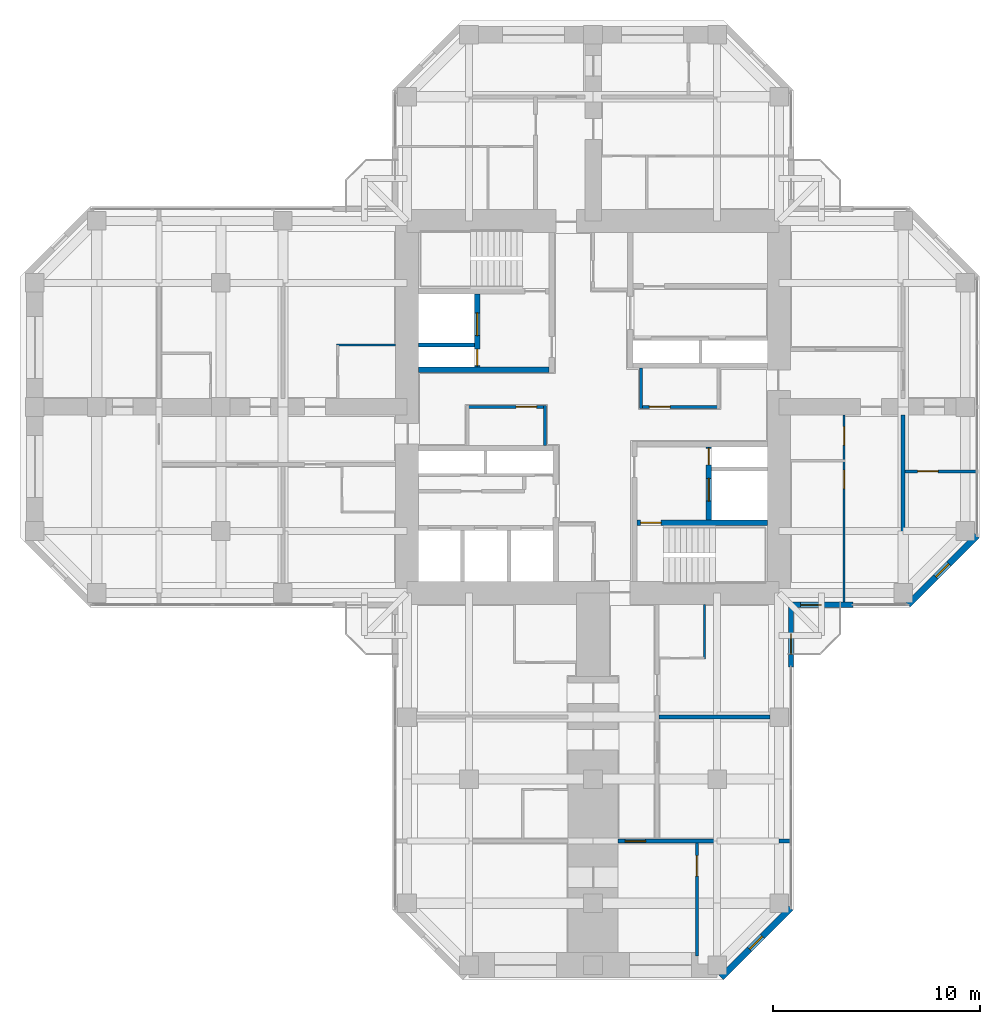
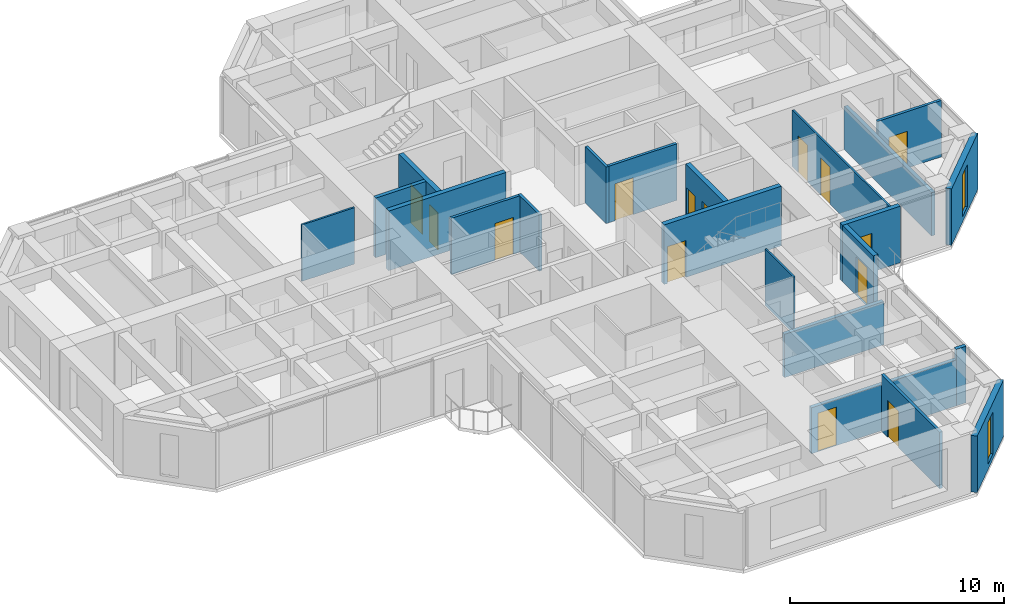
# One storey, part 10 of 14: 22 walls, 14 doors, 2 windows, 16 openings.
"""IFC4 building model written with IfcOpenShell, lengths in metres."""

import ifcopenshell
import ifcopenshell.guid

model = None  # the IFC model being written
_history = None  # IfcOwnerHistory: only IFC2X3 demands one
_inside = {}  # id of a spatial element -> (the spatial element, [elements in it])
_under = {}  # id of a project, library or spatial element -> (it, [spatial elements below it])
_declared = {}  # id of a project -> (the project, [libraries it declares])
_typed = {}  # id of a type object -> (the type object, [elements of that type])
_made_of = {}  # id of a material, layer set ... -> (it, [elements and type objects made of it])


def new_model(schema):
    """Start an empty IFC model of exactly this schema.

    Asked for "IFC4X3", IfcOpenShell would pick the latest addendum, in which some entities
    have other attributes; the version numbers below select the first issue.
    IFC2X3 requires an IfcOwnerHistory on every rooted entity: one is made here for all.
    """
    global model, _history
    if schema == "IFC4X3":
        model = ifcopenshell.file(schema_version=(4, 3, 0, 0))
    else:
        model = ifcopenshell.file(schema=schema)
    _inside.clear()
    _under.clear()
    _declared.clear()
    _typed.clear()
    _made_of.clear()
    _history = None
    if model.schema == "IFC2X3":
        org = make("IfcOrganization", Name="unknown")
        user = make(
            "IfcPersonAndOrganization",
            ThePerson=make("IfcPerson", FamilyName="unknown"),
            TheOrganization=org,
        )
        app = make(
            "IfcApplication",
            ApplicationDeveloper=org,
            Version="unknown",
            ApplicationFullName="unknown",
            ApplicationIdentifier="unknown",
        )
        _history = make(
            "IfcOwnerHistory",
            OwningUser=user,
            OwningApplication=app,
            ChangeAction="ADDED",
            CreationDate=0,
        )
    return model


def make(cls, **values):
    """One entity of the class cls with the attributes given. An attribute that is None is left unset."""
    return model.create_entity(
        cls, **{name: value for name, value in values.items() if value is not None}
    )


def rooted(cls, **values):
    """An entity with a GlobalId (a new one), such as an element, a storey or a relation."""
    return make(cls, GlobalId=ifcopenshell.guid.new(), OwnerHistory=_history, **values)


def si_unit(unit_type, name, prefix=None):
    """IfcSIUnit, for example si_unit("LENGTHUNIT", "METRE", prefix="MILLI")."""
    return make("IfcSIUnit", UnitType=unit_type, Prefix=prefix, Name=name)


def assignment(units):
    """IfcUnitAssignment: the units of a project."""
    return None if units is None else make("IfcUnitAssignment", Units=units)


def point(xyz):
    """IfcCartesianPoint."""
    return None if xyz is None else make("IfcCartesianPoint", Coordinates=xyz)


def direction(xyz):
    """IfcDirection."""
    return None if xyz is None else make("IfcDirection", DirectionRatios=xyz)


def frame(location, z_axis=None, x_axis=None):
    """IfcAxis2Placement3D, a coordinate frame: its origin and axes. An axis left out is left unset."""
    return make(
        "IfcAxis2Placement3D",
        Location=point(location),
        Axis=direction(z_axis),
        RefDirection=direction(x_axis),
    )


def frame_2d(location, x_axis=None):
    """IfcAxis2Placement2D, a coordinate frame in the plane: its origin and x axis."""
    return make(
        "IfcAxis2Placement2D", Location=point(location), RefDirection=direction(x_axis)
    )


def origin():
    """The frame at (0, 0, 0) with its axes left unset."""
    return frame((0.0, 0.0, 0.0))


def place(relative_to, where):
    """IfcLocalPlacement: puts the frame where relative to a parent placement (None: the world)."""
    return make(
        "IfcLocalPlacement", PlacementRelTo=relative_to, RelativePlacement=where
    )


def context(
    kind, dimensions, precision=None, world=None, true_north=None, identifier=None
):
    """IfcGeometricRepresentationContext, for example the 3D "Model" context."""
    return make(
        "IfcGeometricRepresentationContext",
        ContextIdentifier=identifier,
        ContextType=kind,
        CoordinateSpaceDimension=dimensions,
        Precision=precision,
        WorldCoordinateSystem=world,
        TrueNorth=true_north,
    )


def subcontext(parent, identifier, kind, view, scale=None):
    """IfcGeometricRepresentationSubContext, for example "Body" below "Model"."""
    return make(
        "IfcGeometricRepresentationSubContext",
        ContextIdentifier=identifier,
        ContextType=kind,
        ParentContext=parent,
        TargetScale=scale,
        TargetView=view,
    )


def project(units=None, contexts=None):
    """IfcProject with its units and contexts."""
    return rooted(
        "IfcProject",
        Name="project",
        RepresentationContexts=contexts,
        UnitsInContext=assignment(units),
    )


def spatial(cls, under=None, at=None, **own):
    """A site, building, storey or space (cls), placed at a placement, below another one or the project."""
    s = rooted(cls, ObjectPlacement=at, **own)
    if under is not None:
        _under.setdefault(under.id(), (under, []))[1].append(s)
    return s


def profile(cls, at=None, kind="AREA", **sizes):
    """A parametric profile (cls). Its sizes go by their IFC names, for example OverallWidth=200.0."""
    return make(cls, ProfileType=kind, Position=at, **sizes)


def rectangle(**sizes):
    """IfcRectangleProfileDef."""
    return profile("IfcRectangleProfileDef", **sizes)


def hollow_rectangle(**sizes):
    """IfcRectangleHollowProfileDef."""
    return profile("IfcRectangleHollowProfileDef", **sizes)


def extrude(swept, where, along, depth):
    """IfcExtrudedAreaSolid: the profile swept, set in the frame where, extruded along a direction by depth."""
    return make(
        "IfcExtrudedAreaSolid",
        SweptArea=swept,
        Position=where,
        ExtrudedDirection=direction(along),
        Depth=depth,
    )


def shape(context_of_items, identifier, shape_type, items):
    """IfcShapeRepresentation: the items that make up one representation, for example the "Body"."""
    return make(
        "IfcShapeRepresentation",
        ContextOfItems=context_of_items,
        RepresentationIdentifier=identifier,
        RepresentationType=shape_type,
        Items=items,
    )


def material(Name=None, Category=None):
    """IfcMaterial."""
    return make("IfcMaterial", Name=Name, Category=Category)


def layer(
    of_material, thickness, ventilated=None, Name=None, Category=None, Priority=None
):
    """IfcMaterialLayer: one layer of a wall or slab, of a material (None: an air gap)."""
    return make(
        "IfcMaterialLayer",
        Material=of_material,
        LayerThickness=thickness,
        IsVentilated=ventilated,
        Name=Name,
        Category=Category,
        Priority=Priority,
    )


def layer_set(layers, Name=None):
    """IfcMaterialLayerSet."""
    return make("IfcMaterialLayerSet", MaterialLayers=layers, LayerSetName=Name)


def constituent(of_material, Name=None, Category=None, fraction=None):
    """IfcMaterialConstituent: one of the materials an element consists of."""
    return make(
        "IfcMaterialConstituent",
        Name=Name,
        Material=of_material,
        Fraction=fraction,
        Category=Category,
    )


def constituent_set(constituents=None, Name=None):
    """IfcMaterialConstituentSet."""
    return make(
        "IfcMaterialConstituentSet", Name=Name, MaterialConstituents=constituents
    )


def made_of(thing, what):
    """Note that an element or type object is made of a material, layer set ...; save() writes the relation."""
    if what is not None:
        _made_of.setdefault(what.id(), (what, []))[1].append(thing)
    return thing


def type_object(cls, material=None, **own):
    """A type object (cls), such as IfcWallType, which elements share."""
    return made_of(rooted(cls, **own), material)


def element(
    cls,
    number,
    at=None,
    inside=None,
    cuts=None,
    type_object=None,
    material=None,
    context=None,
    identifier="Body",
    shape_type=None,
    held_by="IfcProductDefinitionShape",
    body=None,
    shapes=None,
    **own,
):
    """One element of the class cls, such as IfcWall. Its Tag is "e" and its number.

    at: its placement. inside: the storey or other place that contains it. cuts: it is an
    opening in that element (IfcRelVoidsElement). A single representation is given by context,
    identifier, shape_type and body (its items); several are given by shapes. held_by: the class
    of the entity that holds the representations. save() writes the other relations.
    """
    e = rooted(cls, Tag="e%d" % number, ObjectPlacement=at, **own)
    if body is not None:
        shapes = [shape(context, identifier, shape_type, body)]
    if shapes is not None:
        e.Representation = make(held_by, Representations=shapes)
    if inside is not None:
        _inside.setdefault(inside.id(), (inside, []))[1].append(e)
    if cuts is not None:
        rooted(
            "IfcRelVoidsElement", RelatingBuildingElement=cuts, RelatedOpeningElement=e
        )
    if type_object is not None:
        _typed.setdefault(type_object.id(), (type_object, []))[1].append(e)
    return made_of(e, material)


def fill(opening, filler):
    """IfcRelFillsElement: the door or window that sits in an opening."""
    return rooted(
        "IfcRelFillsElement",
        RelatingOpeningElement=opening,
        RelatedBuildingElement=filler,
    )


def aggregate(whole, parts):
    """IfcRelAggregates: a whole, such as a stair, and the parts it consists of."""
    return rooted("IfcRelAggregates", RelatingObject=whole, RelatedObjects=parts)


def save(model, path):
    """Write the relations noted so far, then the file.

    IfcRelAggregates (storeys below a building ...), IfcRelContainedInSpatialStructure (elements
    in a storey), IfcRelDefinesByType, IfcRelAssociatesMaterial and IfcRelDeclares: one each for
    every whole, place, type object, material and project.
    """
    for whole, parts in _under.values():
        aggregate(whole, parts)
    for where, things in _inside.values():
        rooted(
            "IfcRelContainedInSpatialStructure",
            RelatedElements=things,
            RelatingStructure=where,
        )
    for kind, things in _typed.values():
        rooted("IfcRelDefinesByType", RelatedObjects=things, RelatingType=kind)
    for what, things in _made_of.values():
        rooted("IfcRelAssociatesMaterial", RelatedObjects=things, RelatingMaterial=what)
    for by, libraries in _declared.values():
        rooted("IfcRelDeclares", RelatingContext=by, RelatedDefinitions=libraries)
    model.write(path)


model = new_model("IFC4")

# Units and contexts
model_context = context("Model", 3, precision=1e-05, world=origin(), true_north=direction((0.0, 1.0)))
body_context = subcontext(model_context, "Body", "Model", "MODEL_VIEW")
ifc_project = project(units=[si_unit("LENGTHUNIT", "METRE"), si_unit("AREAUNIT", "SQUARE_METRE"), si_unit("VOLUMEUNIT", "CUBIC_METRE"), si_unit("PLANEANGLEUNIT", "RADIAN"), si_unit("MASSUNIT", "GRAM", prefix="KILO")], contexts=[model_context])

# Site, building, storey
site_placement = place(None, origin())
site = spatial("IfcSite", under=ifc_project, at=site_placement, CompositionType="ELEMENT")
building_placement = place(site_placement, origin())
building = spatial("IfcBuilding", under=site, at=building_placement, Name="Torre Cruceta", CompositionType="ELEMENT")
storey_placement = place(building_placement, frame((0.0, 0.0, 210.300048828125)))
storey = spatial("IfcBuildingStorey", under=building, at=storey_placement, Name="L53", CompositionType="ELEMENT", Elevation=210.300048828125)

# Wall, openings, doors
ifc_material_1 = material(Name="Water-resistant plasterboard on steel studs", Category="steel")
ifc_layer_1 = layer(ifc_material_1, 0.10009765625)
ifc_layer_set_1 = layer_set([ifc_layer_1], Name="Water-resistant plasterboard on steel studs")
wall_type_1 = type_object("IfcWallType", Name="BATHROOM WALL 100", PredefinedType="PARTITIONING", material=ifc_layer_set_1)
wall_1_placement = place(storey_placement, frame((12.14990234375, -9.445068359375, 0.0), z_axis=(0.0, 0.0, 1.0), x_axis=(0.0, 1.0, 0.0)))
wall_1 = element("IfcWall", 1, at=wall_1_placement, inside=storey, type_object=wall_type_1, Name="PT4 L53-E-U1RBS", PredefinedType="PARTITIONING", context=body_context, shape_type="SweptSolid", body=[
    extrude(rectangle(XDim=9.045166015625, YDim=0.10009765625, at=frame_2d((4.5224609375, 0.0))), origin(), (0.0, 0.0, 1.0), 3.219970703125),
])
opening_1_placement = place(wall_1_placement, frame((5.4951171875, 0.0, 0.0)))
opening_1 = element("IfcOpeningElement", 2, at=opening_1_placement, cuts=wall_1, Name="Opening D7", PredefinedType="OPENING", context=body_context, shape_type="SweptSolid", body=[
    extrude(rectangle(XDim=0.89990234375, YDim=2.10009765625, at=frame_2d((0.449951171875, 1.050048828125))), frame((0.0, 0.06005859375, 0.0), z_axis=(0.0, -1.0, 0.0), x_axis=(1.0, 0.0, 0.0)), (0.0, 0.0, 1.0), 0.1201171875),
])
opening_2_placement = place(wall_1_placement, frame((7.594970703125, 0.0, 0.0)))
opening_2 = element("IfcOpeningElement", 3, at=opening_2_placement, cuts=wall_1, Name="Opening D7", PredefinedType="OPENING", context=body_context, shape_type="SweptSolid", body=[
    extrude(rectangle(XDim=0.89990234375, YDim=2.10009765625, at=frame_2d((0.449951171875, 1.050048828125))), frame((0.0, 0.06005859375, 0.0), z_axis=(0.0, -1.0, 0.0), x_axis=(1.0, 0.0, 0.0)), (0.0, 0.0, 1.0), 0.1201171875),
])
ifc_material_2 = material(Name="Timber door", Category="wood")
door_type_1 = type_object("IfcDoorType", Name="BATHROOM DOOR 900X2100", OperationType="SINGLE_SWING_LEFT", PredefinedType="DOOR", material=ifc_material_2)
door_1_placement = place(opening_1_placement, origin())
door_1 = element("IfcDoor", 4, at=door_1_placement, inside=storey, type_object=door_type_1, Name="D7 L53-E-U1RBS-D1", OperationType="SINGLE_SWING_RIGHT", OverallHeight=2.10009765625, OverallWidth=0.89990234375, PredefinedType="DOOR", context=body_context, shape_type="SweptSolid", body=[
    extrude(rectangle(XDim=0.89990234375, YDim=2.10009765625, at=frame_2d((0.449951171875, 1.050048828125))), frame((0.0, 0.02490234375, 0.0), z_axis=(0.0, -1.0, 0.0), x_axis=(1.0, 0.0, 0.0)), (0.0, 0.0, 1.0), 0.050048828125),
])
fill(opening_1, door_1)
door_2_placement = place(opening_2_placement, origin())
door_2 = element("IfcDoor", 5, at=door_2_placement, inside=storey, type_object=door_type_1, Name="D7 L53-E-U1RBS-D2", OperationType="SINGLE_SWING_RIGHT", OverallHeight=2.10009765625, OverallWidth=0.89990234375, PredefinedType="DOOR", context=body_context, shape_type="SweptSolid", body=[
    extrude(rectangle(XDim=0.89990234375, YDim=2.10009765625, at=frame_2d((0.449951171875, 1.050048828125))), frame((0.0, 0.02490234375, 0.0), z_axis=(0.0, -1.0, 0.0), x_axis=(1.0, 0.0, 0.0)), (0.0, 0.0, 1.0), 0.050048828125),
])
fill(opening_2, door_2)

# Walls
wall_2_placement = place(storey_placement, frame((5.39990234375, -9.550048828125, 0.0), z_axis=(0.0, 0.0, 1.0), x_axis=(0.0, -1.0, 0.0)))
element("IfcWall", 6, at=wall_2_placement, inside=storey, type_object=wall_type_1, Name="PT4 L53-S-U1LBB", PredefinedType="PARTITIONING", context=body_context, shape_type="SweptSolid", body=[
    extrude(rectangle(XDim=2.64990234375, YDim=0.10009765625, at=frame_2d((1.324951171875, 0.0))), origin(), (0.0, 0.0, 1.0), 3.219970703125),
])
wall_3_placement = place(storey_placement, frame((-9.550048828125, 3.0, 0.0), z_axis=(0.0, 0.0, 1.0), x_axis=(-1.0, 0.0, 0.0)))
element("IfcWall", 7, at=wall_3_placement, inside=storey, type_object=wall_type_1, Name="PT4 L53-W-U1RBB", PredefinedType="PARTITIONING", context=body_context, shape_type="SweptSolid", body=[
    extrude(rectangle(XDim=2.849853515625, YDim=0.10009765625, at=frame_2d((1.4248046875, 0.0))), origin(), (0.0, 0.0, 1.0), 3.219970703125),
])
ifc_material_3 = material(Name="Concrete G60 (fck 60 MPa)", Category="concrete")
ifc_layer_2 = layer(ifc_material_3, 0.25)
ifc_layer_set_2 = layer_set([ifc_layer_2], Name="Concrete G60 (fck 60 MPa)")
wall_type_2 = type_object("IfcWallType", Name="CORE INNER WALL 250 G60", PredefinedType="SHEAR", material=ifc_layer_set_2)
wall_4_placement = place(storey_placement, frame((-2.125, 1.800048828125, 0.0), z_axis=(0.0, 0.0, 1.0), x_axis=(-1.0, 0.0, 0.0)))
element("IfcWall", 8, at=wall_4_placement, inside=storey, type_object=wall_type_2, Name="CW4 L53 NW-CV", PredefinedType="SHEAR", context=body_context, shape_type="SweptSolid", body=[
    extrude(rectangle(XDim=6.324951171875, YDim=0.25, at=frame_2d((3.16259765625, 0.0))), origin(), (0.0, 0.0, 1.0), 3.39990234375),
])

# Wall, openings, doors
wall_5_placement = place(storey_placement, frame((-5.60009765625, 1.925048828125, 0.0), z_axis=(0.0, 0.0, 1.0), x_axis=(0.0, 1.0, 0.0)))
wall_5 = element("IfcWall", 9, at=wall_5_placement, inside=storey, type_object=wall_type_2, Name="CW4 L53 NW-FU", PredefinedType="SHEAR", context=body_context, shape_type="SweptSolid", body=[
    extrude(rectangle(XDim=3.550048828125, YDim=0.25, at=frame_2d((1.77490234375, 0.0))), origin(), (0.0, 0.0, 1.0), 3.39990234375),
])
opening_3_placement = place(wall_5_placement, frame((1.52490234375, 0.0, 0.0)))
opening_3 = element("IfcOpeningElement", 10, at=opening_3_placement, cuts=wall_5, Name="Opening LD1", PredefinedType="OPENING", context=body_context, shape_type="SweptSolid", body=[
    extrude(rectangle(XDim=1.10009765625, YDim=2.199951171875, at=frame_2d((0.550048828125, 1.10009765625))), frame((0.0, 0.135009765625, 0.0), z_axis=(0.0, -1.0, 0.0), x_axis=(1.0, 0.0, 0.0)), (0.0, 0.0, 1.0), 0.27001953125),
])
opening_4_placement = place(wall_5_placement, frame((0.074951171875, 0.0, 0.0)))
opening_4 = element("IfcOpeningElement", 11, at=opening_4_placement, cuts=wall_5, Name="Opening D5", PredefinedType="OPENING", context=body_context, shape_type="SweptSolid", body=[
    extrude(rectangle(XDim=0.800048828125, YDim=2.10009765625, at=frame_2d((0.39990234375, 1.050048828125))), frame((0.0, 0.135009765625, 0.0), z_axis=(0.0, -1.0, 0.0), x_axis=(1.0, 0.0, 0.0)), (0.0, 0.0, 1.0), 0.27001953125),
])
ifc_material_4 = material(Name="Stainless steel 1.4401", Category="steel")
door_type_2 = type_object("IfcDoorType", Name="LIFT LANDING DOOR 1100X2200", OperationType="DOUBLE_DOOR_SLIDING", PredefinedType="DOOR", material=ifc_material_4)
door_3_placement = place(opening_3_placement, origin())
door_3 = element("IfcDoor", 12, at=door_3_placement, inside=storey, type_object=door_type_2, Name="Lift landing door FL1", OperationType="DOUBLE_DOOR_SLIDING", OverallHeight=2.199951171875, OverallWidth=1.10009765625, PredefinedType="DOOR", context=body_context, shape_type="SweptSolid", body=[
    extrude(rectangle(XDim=1.10009765625, YDim=2.199951171875, at=frame_2d((0.550048828125, 1.10009765625))), frame((0.0, 0.02490234375, 0.0), z_axis=(0.0, -1.0, 0.0), x_axis=(1.0, 0.0, 0.0)), (0.0, 0.0, 1.0), 0.050048828125),
])
fill(opening_3, door_3)
ifc_material_5 = material(Name="Steel DX51D", Category="steel")
ifc_constituent_1 = constituent(ifc_material_5, Name="Leaf and frame")
ifc_material_6 = material(Name="Polyester powder coating", Category="paint")
ifc_constituent_2 = constituent(ifc_material_6, Name="Finish")
ifc_constituent_set_1 = constituent_set(constituents=[ifc_constituent_1, ifc_constituent_2], Name="Steel fire door")
door_type_3 = type_object("IfcDoorType", Name="RISER ACCESS DOOR 800X2100", OperationType="SINGLE_SWING_LEFT", PredefinedType="DOOR", material=ifc_constituent_set_1)
door_4_placement = place(opening_4_placement, origin())
door_4 = element("IfcDoor", 13, at=door_4_placement, inside=storey, type_object=door_type_3, Name="D5 L53 NW-RISER", OperationType="SINGLE_SWING_LEFT", OverallHeight=2.10009765625, OverallWidth=0.800048828125, PredefinedType="DOOR", context=body_context, shape_type="SweptSolid", body=[
    extrude(rectangle(XDim=0.800048828125, YDim=2.10009765625, at=frame_2d((0.39990234375, 1.050048828125))), frame((0.0, 0.02490234375, 0.0), z_axis=(0.0, -1.0, 0.0), x_axis=(1.0, 0.0, 0.0)), (0.0, 0.0, 1.0), 0.050048828125),
])
fill(opening_4, door_4)

# Wall, opening, door
wall_6_placement = place(storey_placement, frame((2.125, -5.60009765625, 0.0), z_axis=(0.0, 0.0, 1.0), x_axis=(1.0, 0.0, 0.0)))
wall_6 = element("IfcWall", 14, at=wall_6_placement, inside=storey, type_object=wall_type_2, Name="CW4 L53 SE-SV", PredefinedType="SHEAR", context=body_context, shape_type="SweptSolid", body=[
    extrude(rectangle(XDim=6.324951171875, YDim=0.25, at=frame_2d((3.16259765625, 0.0))), origin(), (0.0, 0.0, 1.0), 3.39990234375),
])
opening_5_placement = place(wall_6_placement, frame((0.175048828125, 0.0, 0.0)))
opening_5 = element("IfcOpeningElement", 15, at=opening_5_placement, cuts=wall_6, Name="Opening D3", PredefinedType="OPENING", context=body_context, shape_type="SweptSolid", body=[
    extrude(rectangle(XDim=1.0, YDim=2.10009765625, at=frame_2d((0.5, 1.050048828125))), frame((0.0, 0.135009765625, 0.0), z_axis=(0.0, -1.0, 0.0), x_axis=(1.0, 0.0, 0.0)), (0.0, 0.0, 1.0), 0.27001953125),
])
ifc_material_7 = material(Name="Steel DX51D", Category="steel")
ifc_constituent_3 = constituent(ifc_material_7, Name="Leaf and frame")
ifc_material_8 = material(Name="Polyester powder coating", Category="paint")
ifc_constituent_4 = constituent(ifc_material_8, Name="Finish")
ifc_constituent_set_2 = constituent_set(constituents=[ifc_constituent_3, ifc_constituent_4], Name="Steel fire door")
door_type_4 = type_object("IfcDoorType", Name="FIRE DOOR 1000X2100", OperationType="SINGLE_SWING_LEFT", PredefinedType="DOOR", material=ifc_constituent_set_2)
door_5_placement = place(opening_5_placement, frame((1.0, 0.0, 0.0), z_axis=(0.0, 0.0, 1.0), x_axis=(-1.0, 0.0, 0.0)))
door_5 = element("IfcDoor", 16, at=door_5_placement, inside=storey, type_object=door_type_4, Name="D3 L53 SE-STAIR", OperationType="SINGLE_SWING_RIGHT", OverallHeight=2.10009765625, OverallWidth=1.0, PredefinedType="DOOR", context=body_context, shape_type="SweptSolid", body=[
    extrude(rectangle(XDim=1.0, YDim=2.10009765625, at=frame_2d((0.5, 1.050048828125))), frame((0.0, 0.025146484375, 0.0), z_axis=(0.0, -1.0, 0.0), x_axis=(1.0, 0.0, 0.0)), (0.0, 0.0, 1.0), 0.050048828125),
])
fill(opening_5, door_5)

# Wall, openings, doors
wall_7_placement = place(storey_placement, frame((5.60009765625, -1.925048828125, 0.0), z_axis=(0.0, 0.0, 1.0), x_axis=(0.0, -1.0, 0.0)))
wall_7 = element("IfcWall", 17, at=wall_7_placement, inside=storey, type_object=wall_type_2, Name="CW4 L53 SE-FU", PredefinedType="SHEAR", context=body_context, shape_type="SweptSolid", body=[
    extrude(rectangle(XDim=3.550048828125, YDim=0.25, at=frame_2d((1.77490234375, 0.0))), origin(), (0.0, 0.0, 1.0), 3.39990234375),
])
opening_6_placement = place(wall_7_placement, frame((1.52490234375, 0.0, 0.0)))
opening_6 = element("IfcOpeningElement", 18, at=opening_6_placement, cuts=wall_7, Name="Opening LD1", PredefinedType="OPENING", context=body_context, shape_type="SweptSolid", body=[
    extrude(rectangle(XDim=1.10009765625, YDim=2.199951171875, at=frame_2d((0.550048828125, 1.10009765625))), frame((0.0, 0.135009765625, 0.0), z_axis=(0.0, -1.0, 0.0), x_axis=(1.0, 0.0, 0.0)), (0.0, 0.0, 1.0), 0.27001953125),
])
opening_7_placement = place(wall_7_placement, frame((0.074951171875, 0.0, 0.0)))
opening_7 = element("IfcOpeningElement", 19, at=opening_7_placement, cuts=wall_7, Name="Opening D5", PredefinedType="OPENING", context=body_context, shape_type="SweptSolid", body=[
    extrude(rectangle(XDim=0.800048828125, YDim=2.10009765625, at=frame_2d((0.39990234375, 1.050048828125))), frame((0.0, 0.135009765625, 0.0), z_axis=(0.0, -1.0, 0.0), x_axis=(1.0, 0.0, 0.0)), (0.0, 0.0, 1.0), 0.27001953125),
])
door_6_placement = place(opening_6_placement, origin())
door_6 = element("IfcDoor", 20, at=door_6_placement, inside=storey, type_object=door_type_2, Name="Lift landing door FL2", OperationType="DOUBLE_DOOR_SLIDING", OverallHeight=2.199951171875, OverallWidth=1.10009765625, PredefinedType="DOOR", context=body_context, shape_type="SweptSolid", body=[
    extrude(rectangle(XDim=1.10009765625, YDim=2.199951171875, at=frame_2d((0.550048828125, 1.10009765625))), frame((0.0, 0.02490234375, 0.0), z_axis=(0.0, -1.0, 0.0), x_axis=(1.0, 0.0, 0.0)), (0.0, 0.0, 1.0), 0.050048828125),
])
fill(opening_6, door_6)
door_7_placement = place(opening_7_placement, origin())
door_7 = element("IfcDoor", 21, at=door_7_placement, inside=storey, type_object=door_type_3, Name="D5 L53 SE-RISER", OperationType="SINGLE_SWING_LEFT", OverallHeight=2.10009765625, OverallWidth=0.800048828125, PredefinedType="DOOR", context=body_context, shape_type="SweptSolid", body=[
    extrude(rectangle(XDim=0.800048828125, YDim=2.10009765625, at=frame_2d((0.39990234375, 1.050048828125))), frame((0.0, 0.02490234375, 0.0), z_axis=(0.0, -1.0, 0.0), x_axis=(1.0, 0.0, 0.0)), (0.0, 0.0, 1.0), 0.050048828125),
])
fill(opening_7, door_7)

# Wall, opening, window
ifc_material_9 = material(Name="Concrete G30 (fck 30 MPa)", Category="concrete")
ifc_layer_3 = layer(ifc_material_9, 0.300048828125)
ifc_layer_set_3 = layer_set([ifc_layer_3], Name="Concrete G30 (fck 30 MPa)")
wall_type_3 = type_object("IfcWallType", Name="EXPOSED CONCRETE FACADE WALL 300", PredefinedType="SOLIDWALL", material=ifc_layer_set_3)
wall_8_placement = place(storey_placement, frame((15.236083984375, -9.570068359375, 0.0), z_axis=(0.0, 0.0, 1.0), x_axis=(0.707106781187, 0.707106781187, 0.0)))
wall_8 = element("IfcWall", 22, at=wall_8_placement, inside=storey, type_object=wall_type_3, Name="EW1 facade wall L53 E chamfer 01", PredefinedType="SOLIDWALL", context=body_context, shape_type="SweptSolid", body=[
    extrude(rectangle(XDim=4.715087890625, YDim=0.300048828125, at=frame_2d((2.357421875, 0.0))), origin(), (0.0, 0.0, 1.0), 3.219970703125),
])
opening_8_placement = place(wall_8_placement, frame((1.907470703125, 0.0, 0.300048828125)))
opening_8 = element("IfcOpeningElement", 23, at=opening_8_placement, cuts=wall_8, Name="Opening WN5", PredefinedType="OPENING", context=body_context, shape_type="SweptSolid", body=[
    extrude(rectangle(XDim=0.89990234375, YDim=2.39990234375, at=frame_2d((0.449951171875, 1.199951171875))), frame((0.0, 0.159912109375, 0.0), z_axis=(0.0, -1.0, 0.0), x_axis=(1.0, 0.0, 0.0)), (0.0, 0.0, 1.0), 0.320068359375),
])
ifc_material_10 = material(Name="Aluminium window frame", Category="aluminium")
ifc_constituent_5 = constituent(ifc_material_10, Name="Frame")
ifc_material_11 = material(Name="Laminated insulating glass unit, low-iron clear", Category="glass")
ifc_constituent_6 = constituent(ifc_material_11, Name="Glazing")
ifc_constituent_set_3 = constituent_set(constituents=[ifc_constituent_5, ifc_constituent_6], Name="Aluminium window")
window_type = type_object("IfcWindowType", Name="CHAMFER SLOT WINDOW 900X2400", PartitioningType="SINGLE_PANEL", PredefinedType="WINDOW", material=ifc_constituent_set_3)
window_1_placement = place(opening_8_placement, origin())
window_1 = element("IfcWindow", 24, at=window_1_placement, inside=storey, type_object=window_type, Name="WN5 L53 E 1", OverallHeight=2.39990234375, OverallWidth=0.89990234375, PartitioningType="SINGLE_PANEL", PredefinedType="WINDOW", context=body_context, shape_type="SweptSolid", body=[
    extrude(hollow_rectangle(XDim=0.89990234375, YDim=2.39990234375, WallThickness=0.06005859375, at=frame_2d((0.449951171875, 1.199951171875))), frame((0.0, 0.030029296875, 0.0), z_axis=(0.0, -1.0, 0.0), x_axis=(1.0, 0.0, 0.0)), (0.0, 0.0, 1.0), 0.06005859375),
    extrude(rectangle(XDim=0.77880859375, YDim=2.27880859375, at=frame_2d((0.449951171875, 1.199951171875))), frame((0.0, 0.030029296875, 0.0), z_axis=(0.0, -1.0, 0.0), x_axis=(1.0, 0.0, 0.0)), (0.0, 0.0, 1.0), 0.06005859375),
])
fill(opening_8, window_1)

wall_9_placement = place(storey_placement, frame((6.2060546875, -27.60009765625, 0.0), z_axis=(0.0, 0.0, 1.0), x_axis=(0.707106781187, 0.707106781187, 0.0)))
wall_9 = element("IfcWall", 25, at=wall_9_placement, inside=storey, type_object=wall_type_3, Name="EW1 facade wall L53 S chamfer 18", PredefinedType="SOLIDWALL", context=body_context, shape_type="SweptSolid", body=[
    extrude(rectangle(XDim=4.75732421875, YDim=0.300048828125, at=frame_2d((2.378662109375, 0.0))), origin(), (0.0, 0.0, 1.0), 3.219970703125),
])
opening_9_placement = place(wall_9_placement, frame((1.9287109375, 0.0, 0.300048828125)))
opening_9 = element("IfcOpeningElement", 26, at=opening_9_placement, cuts=wall_9, Name="Opening WN5", PredefinedType="OPENING", context=body_context, shape_type="SweptSolid", body=[
    extrude(rectangle(XDim=0.89990234375, YDim=2.39990234375, at=frame_2d((0.449951171875, 1.199951171875))), frame((0.0, 0.159912109375, 0.0), z_axis=(0.0, -1.0, 0.0), x_axis=(1.0, 0.0, 0.0)), (0.0, 0.0, 1.0), 0.320068359375),
])
window_2_placement = place(opening_9_placement, origin())
window_2 = element("IfcWindow", 27, at=window_2_placement, inside=storey, type_object=window_type, Name="WN5 L53 S 1", OverallHeight=2.39990234375, OverallWidth=0.89990234375, PartitioningType="SINGLE_PANEL", PredefinedType="WINDOW", context=body_context, shape_type="SweptSolid", body=[
    extrude(hollow_rectangle(XDim=0.89990234375, YDim=2.39990234375, WallThickness=0.06005859375, at=frame_2d((0.449951171875, 1.199951171875))), frame((0.0, 0.030029296875, 0.0), z_axis=(0.0, -1.0, 0.0), x_axis=(1.0, 0.0, 0.0)), (0.0, 0.0, 1.0), 0.06005859375),
    extrude(rectangle(XDim=0.77880859375, YDim=2.27880859375, at=frame_2d((0.449951171875, 1.199951171875))), frame((0.0, 0.030029296875, 0.0), z_axis=(0.0, -1.0, 0.0), x_axis=(1.0, 0.0, 0.0)), (0.0, 0.0, 1.0), 0.06005859375),
])
fill(opening_9, window_2)

# Wall
ifc_material_12 = material(Name="Concrete G35 (fck 35 MPa)", Category="concrete")
ifc_layer_4 = layer(ifc_material_12, 0.199951171875)
ifc_layer_set_4 = layer_set([ifc_layer_4], Name="Concrete G35 (fck 35 MPa)")
wall_type_4 = type_object("IfcWallType", Name="LIFT SHAFT WALL 200", PredefinedType="PARTITIONING", material=ifc_layer_set_4)
wall_10_placement = place(storey_placement, frame((-5.72509765625, 3.0, 0.0), z_axis=(0.0, 0.0, 1.0), x_axis=(-1.0, 0.0, 0.0)))
element("IfcWall", 28, at=wall_10_placement, inside=storey, type_object=wall_type_4, Name="SW1 L53 NW-FR", PredefinedType="PARTITIONING", context=body_context, shape_type="SweptSolid", body=[
    extrude(rectangle(XDim=2.724853515625, YDim=0.199951171875, at=frame_2d((1.3623046875, 0.0))), origin(), (0.0, 0.0, 1.0), 3.39990234375),
])

# Wall, opening, door
ifc_material_13 = material(Name="Plasterboard on steel studs", Category="steel")
ifc_layer_5 = layer(ifc_material_13, 0.14990234375)
ifc_layer_set_5 = layer_set([ifc_layer_5], Name="Plasterboard on steel studs")
wall_type_5 = type_object("IfcWallType", Name="PARTITION 150", PredefinedType="PARTITIONING", material=ifc_layer_set_5)
wall_11_placement = place(storey_placement, frame((2.324951171875, 0.0, 0.0), z_axis=(0.0, 0.0, 1.0), x_axis=(1.0, 0.0, 0.0)))
wall_11 = element("IfcWall", 29, at=wall_11_placement, inside=storey, type_object=wall_type_5, Name="PT1 L53-CORE-LEGE-N-W1", PredefinedType="PARTITIONING", context=body_context, shape_type="SweptSolid", body=[
    extrude(rectangle(XDim=3.75, YDim=0.14990234375, at=frame_2d((1.875, 0.0))), origin(), (0.0, 0.0, 1.0), 3.219970703125),
])
opening_10_placement = place(wall_11_placement, frame((0.39990234375, 0.0, 0.0)))
opening_10 = element("IfcOpeningElement", 30, at=opening_10_placement, cuts=wall_11, Name="Opening D3", PredefinedType="OPENING", context=body_context, shape_type="SweptSolid", body=[
    extrude(rectangle(XDim=1.0, YDim=2.10009765625, at=frame_2d((0.5, 1.050048828125))), frame((0.0, 0.0849609375, 0.0), z_axis=(0.0, -1.0, 0.0), x_axis=(1.0, 0.0, 0.0)), (0.0, 0.0, 1.0), 0.169921875),
])
door_8_placement = place(opening_10_placement, origin())
door_8 = element("IfcDoor", 31, at=door_8_placement, inside=storey, type_object=door_type_4, Name="D3 L53-CORE-LEGE-N-W1-D1", OperationType="SINGLE_SWING_LEFT", OverallHeight=2.10009765625, OverallWidth=1.0, PredefinedType="DOOR", context=body_context, shape_type="SweptSolid", body=[
    extrude(rectangle(XDim=1.0, YDim=2.10009765625, at=frame_2d((0.5, 1.050048828125))), frame((0.0, 0.02490234375, 0.0), z_axis=(0.0, -1.0, 0.0), x_axis=(1.0, 0.0, 0.0)), (0.0, 0.0, 1.0), 0.050048828125),
])
fill(opening_10, door_8)

# Wall
wall_12_placement = place(storey_placement, frame((2.324951171875, 1.875, 0.0), z_axis=(0.0, 0.0, 1.0), x_axis=(0.0, -1.0, 0.0)))
element("IfcWall", 32, at=wall_12_placement, inside=storey, type_object=wall_type_5, Name="PT1 L53-CORE-LEGE-N-W2", PredefinedType="PARTITIONING", context=body_context, shape_type="SweptSolid", body=[
    extrude(rectangle(XDim=1.949951171875, YDim=0.14990234375, at=frame_2d((0.97509765625, 0.0))), origin(), (0.0, 0.0, 1.0), 3.219970703125),
])

# Wall, opening, door
wall_13_placement = place(storey_placement, frame((-2.324951171875, 0.0, 0.0), z_axis=(0.0, 0.0, 1.0), x_axis=(-1.0, 0.0, 0.0)))
wall_13 = element("IfcWall", 33, at=wall_13_placement, inside=storey, type_object=wall_type_5, Name="PT1 L53-CORE-LEGW-S-W1", PredefinedType="PARTITIONING", context=body_context, shape_type="SweptSolid", body=[
    extrude(rectangle(XDim=3.75, YDim=0.14990234375, at=frame_2d((1.875, 0.0))), origin(), (0.0, 0.0, 1.0), 3.219970703125),
])
opening_11_placement = place(wall_13_placement, frame((0.39990234375, 0.0, 0.0)))
opening_11 = element("IfcOpeningElement", 34, at=opening_11_placement, cuts=wall_13, Name="Opening D3", PredefinedType="OPENING", context=body_context, shape_type="SweptSolid", body=[
    extrude(rectangle(XDim=1.0, YDim=2.10009765625, at=frame_2d((0.5, 1.050048828125))), frame((0.0, 0.0849609375, 0.0), z_axis=(0.0, -1.0, 0.0), x_axis=(1.0, 0.0, 0.0)), (0.0, 0.0, 1.0), 0.169921875),
])
door_9_placement = place(opening_11_placement, origin())
door_9 = element("IfcDoor", 35, at=door_9_placement, inside=storey, type_object=door_type_4, Name="D3 L53-CORE-LEGW-S-W1-D1", OperationType="SINGLE_SWING_LEFT", OverallHeight=2.10009765625, OverallWidth=1.0, PredefinedType="DOOR", context=body_context, shape_type="SweptSolid", body=[
    extrude(rectangle(XDim=1.0, YDim=2.10009765625, at=frame_2d((0.5, 1.050048828125))), frame((0.0, 0.02490234375, 0.0), z_axis=(0.0, -1.0, 0.0), x_axis=(1.0, 0.0, 0.0)), (0.0, 0.0, 1.0), 0.050048828125),
])
fill(opening_11, door_9)

# Wall
wall_14_placement = place(storey_placement, frame((-2.324951171875, -1.875, 0.0), z_axis=(0.0, 0.0, 1.0), x_axis=(0.0, 1.0, 0.0)))
element("IfcWall", 36, at=wall_14_placement, inside=storey, type_object=wall_type_5, Name="PT1 L53-CORE-LEGW-S-W2", PredefinedType="PARTITIONING", context=body_context, shape_type="SweptSolid", body=[
    extrude(rectangle(XDim=1.949951171875, YDim=0.14990234375, at=frame_2d((0.97509765625, 0.0))), origin(), (0.0, 0.0, 1.0), 3.219970703125),
])

# Wall, opening, door
wall_15_placement = place(storey_placement, frame((15.10009765625, -3.117919921875, 0.0), z_axis=(0.0, 0.0, 1.0), x_axis=(1.0, 0.0, 0.0)))
wall_15 = element("IfcWall", 37, at=wall_15_placement, inside=storey, type_object=wall_type_5, Name="PT1 L53-E-END2X", PredefinedType="PARTITIONING", context=body_context, shape_type="SweptSolid", body=[
    extrude(rectangle(XDim=3.429931640625, YDim=0.14990234375, at=frame_2d((1.71484375, 0.0))), origin(), (0.0, 0.0, 1.0), 3.219970703125),
])
opening_12_placement = place(wall_15_placement, frame((0.60009765625, 0.0, 0.0)))
opening_12 = element("IfcOpeningElement", 38, at=opening_12_placement, cuts=wall_15, Name="Opening D3", PredefinedType="OPENING", context=body_context, shape_type="SweptSolid", body=[
    extrude(rectangle(XDim=1.0, YDim=2.10009765625, at=frame_2d((0.5, 1.050048828125))), frame((0.0, 0.0849609375, 0.0), z_axis=(0.0, -1.0, 0.0), x_axis=(1.0, 0.0, 0.0)), (0.0, 0.0, 1.0), 0.169921875),
])
door_10_placement = place(opening_12_placement, origin())
door_10 = element("IfcDoor", 39, at=door_10_placement, inside=storey, type_object=door_type_4, Name="D3 L53-E-END2X-D1", OperationType="SINGLE_SWING_LEFT", OverallHeight=2.10009765625, OverallWidth=1.0, PredefinedType="DOOR", context=body_context, shape_type="SweptSolid", body=[
    extrude(rectangle(XDim=1.0, YDim=2.10009765625, at=frame_2d((0.5, 1.050048828125))), frame((0.0, 0.02490234375, 0.0), z_axis=(0.0, -1.0, 0.0), x_axis=(1.0, 0.0, 0.0)), (0.0, 0.0, 1.0), 0.050048828125),
])
fill(opening_12, door_10)

wall_16_placement = place(storey_placement, frame((5.02490234375, -21.10009765625, 0.0), z_axis=(0.0, 0.0, 1.0), x_axis=(0.0, -1.0, 0.0)))
wall_16 = element("IfcWall", 40, at=wall_16_placement, inside=storey, type_object=wall_type_5, Name="PT1 L53-S-ENDX", PredefinedType="PARTITIONING", context=body_context, shape_type="SweptSolid", body=[
    extrude(rectangle(XDim=5.449951171875, YDim=0.14990234375, at=frame_2d((2.72509765625, 0.0))), origin(), (0.0, 0.0, 1.0), 3.219970703125),
])
opening_13_placement = place(wall_16_placement, frame((0.60009765625, 0.0, 0.0)))
opening_13 = element("IfcOpeningElement", 41, at=opening_13_placement, cuts=wall_16, Name="Opening D3", PredefinedType="OPENING", context=body_context, shape_type="SweptSolid", body=[
    extrude(rectangle(XDim=1.0, YDim=2.10009765625, at=frame_2d((0.5, 1.050048828125))), frame((0.0, 0.0849609375, 0.0), z_axis=(0.0, -1.0, 0.0), x_axis=(1.0, 0.0, 0.0)), (0.0, 0.0, 1.0), 0.169921875),
])
door_11_placement = place(opening_13_placement, origin())
door_11 = element("IfcDoor", 42, at=door_11_placement, inside=storey, type_object=door_type_4, Name="D3 L53-S-ENDX-D1", OperationType="SINGLE_SWING_LEFT", OverallHeight=2.10009765625, OverallWidth=1.0, PredefinedType="DOOR", context=body_context, shape_type="SweptSolid", body=[
    extrude(rectangle(XDim=1.0, YDim=2.10009765625, at=frame_2d((0.5, 1.050048828125))), frame((0.0, 0.02490234375, 0.0), z_axis=(0.0, -1.0, 0.0), x_axis=(1.0, 0.0, 0.0)), (0.0, 0.0, 1.0), 0.050048828125),
])
fill(opening_13, door_11)

# Walls
ifc_material_14 = material(Name="Concrete G25 (fck 25 MPa)", Category="concrete")
ifc_layer_6 = layer(ifc_material_14, 0.199951171875)
ifc_layer_set_6 = layer_set([ifc_layer_6], Name="Concrete G25 (fck 25 MPa)")
wall_type_6 = type_object("IfcWallType", Name="UNIT SEPARATING WALL 200", PredefinedType="SOLIDWALL", material=ifc_layer_set_6)
wall_17_placement = place(storey_placement, frame((15.0, -8.550048828125, 0.0), z_axis=(0.0, 0.0, 1.0), x_axis=(0.0, 1.0, 0.0)))
element("IfcWall", 43, at=wall_17_placement, inside=storey, type_object=wall_type_6, Name="PT2 L53-E-ENDa", PredefinedType="SOLIDWALL", context=body_context, shape_type="SweptSolid", body=[
    extrude(rectangle(XDim=8.150146484375, YDim=0.199951171875, at=frame_2d((4.0751953125, 0.0))), origin(), (0.0, 0.0, 1.0), 2.469970703125),
])
wall_18_placement = place(storey_placement, frame((3.199951171875, -15.0, 0.0), z_axis=(0.0, 0.0, 1.0), x_axis=(1.0, 0.0, 0.0)))
element("IfcWall", 44, at=wall_18_placement, inside=storey, type_object=wall_type_6, Name="PT2 L53-S-P1L", PredefinedType="SOLIDWALL", context=body_context, shape_type="SweptSolid", body=[
    extrude(rectangle(XDim=5.35009765625, YDim=0.199951171875, at=frame_2d((2.675048828125, 0.0))), origin(), (0.0, 0.0, 1.0), 2.469970703125),
])

# Wall, opening, door
wall_19_placement = place(storey_placement, frame((1.199951171875, -21.0, 0.0), z_axis=(0.0, 0.0, 1.0), x_axis=(1.0, 0.0, 0.0)))
wall_19 = element("IfcWall", 45, at=wall_19_placement, inside=storey, type_object=wall_type_6, Name="PT2 L53-S-ENDb", PredefinedType="SOLIDWALL", context=body_context, shape_type="SweptSolid", body=[
    extrude(rectangle(XDim=7.800048828125, YDim=0.199951171875, at=frame_2d((3.89990234375, 0.0))), origin(), (0.0, 0.0, 1.0), 2.619873046875),
])
opening_14_placement = place(wall_19_placement, frame((0.35009765625, 0.0, 0.0)))
opening_14 = element("IfcOpeningElement", 46, at=opening_14_placement, cuts=wall_19, Name="Opening D14", PredefinedType="OPENING", context=body_context, shape_type="SweptSolid", body=[
    extrude(rectangle(XDim=1.0, YDim=2.199951171875, at=frame_2d((0.5, 1.10009765625))), frame((0.0, 0.10986328125, 0.0), z_axis=(0.0, -1.0, 0.0), x_axis=(1.0, 0.0, 0.0)), (0.0, 0.0, 1.0), 0.219970703125),
])
ifc_material_15 = material(Name="Steel DX51D", Category="steel")
ifc_constituent_7 = constituent(ifc_material_15, Name="Leaf and frame")
ifc_material_16 = material(Name="Polyester powder coating", Category="paint")
ifc_constituent_8 = constituent(ifc_material_16, Name="Finish")
ifc_material_17 = material(Name="Fire-resisting glass", Category="glass")
ifc_constituent_9 = constituent(ifc_material_17, Name="Vision panel")
ifc_constituent_set_4 = constituent_set(constituents=[ifc_constituent_7, ifc_constituent_8, ifc_constituent_9], Name="Steel fire door with vision panel")
door_type_5 = type_object("IfcDoorType", Name="FIRE DOOR VISION PANEL 1000X2200", OperationType="SINGLE_SWING_RIGHT", PredefinedType="DOOR", material=ifc_constituent_set_4)
door_12_placement = place(opening_14_placement, frame((1.0, 0.0, 0.0), z_axis=(0.0, 0.0, 1.0), x_axis=(-1.0, 0.0, 0.0)))
door_12 = element("IfcDoor", 47, at=door_12_placement, inside=storey, type_object=door_type_5, Name="D14 L53-S-ENDb-D1", OperationType="SINGLE_SWING_RIGHT", OverallHeight=2.199951171875, OverallWidth=1.0, PredefinedType="DOOR", context=body_context, shape_type="SweptSolid", body=[
    extrude(rectangle(XDim=1.0, YDim=2.199951171875, at=frame_2d((0.5, 1.10009765625))), frame((0.0, 0.025146484375, 0.0), z_axis=(0.0, -1.0, 0.0), x_axis=(1.0, 0.0, 0.0)), (0.0, 0.0, 1.0), 0.050048828125),
])
fill(opening_14, door_12)

# Wall
wall_20_placement = place(storey_placement, frame((9.0, -21.0, 0.0), z_axis=(0.0, 0.0, 1.0), x_axis=(1.0, 0.0, 0.0)))
element("IfcWall", 48, at=wall_20_placement, inside=storey, type_object=wall_type_6, Name="PT2 L53-S-ENDb 2", PredefinedType="SOLIDWALL", context=body_context, shape_type="SweptSolid", body=[
    extrude(rectangle(XDim=0.530029296875, YDim=0.199951171875, at=frame_2d((0.26513671875, 0.0))), origin(), (0.0, 0.0, 1.0), 3.219970703125),
])

# Wall, opening, door
ifc_material_18 = material(Name="Concrete G30 (fck 30 MPa)", Category="concrete")
ifc_layer_7 = layer(ifc_material_18, 0.25)
ifc_layer_set_7 = layer_set([ifc_layer_7], Name="Concrete G30 (fck 30 MPa)")
wall_type_7 = type_object("IfcWallType", Name="WINTER GARDEN WALL 250", PredefinedType="SOLIDWALL", material=ifc_layer_set_7)
wall_21_placement = place(storey_placement, frame((9.445068359375, -9.570068359375, 0.0), z_axis=(0.0, 0.0, 1.0), x_axis=(1.0, 0.0, 0.0)))
wall_21 = element("IfcWall", 49, at=wall_21_placement, inside=storey, type_object=wall_type_7, Name="EW2 winter garden wall L53 00", PredefinedType="SOLIDWALL", context=body_context, shape_type="SweptSolid", body=[
    extrude(rectangle(XDim=3.125, YDim=0.25, at=frame_2d((1.5625, 0.0))), origin(), (0.0, 0.0, 1.0), 3.219970703125),
])
opening_15_placement = place(wall_21_placement, frame((0.60009765625, 0.0, 0.0)))
opening_15 = element("IfcOpeningElement", 50, at=opening_15_placement, cuts=wall_21, Name="Opening D10", PredefinedType="OPENING", context=body_context, shape_type="SweptSolid", body=[
    extrude(rectangle(XDim=1.0, YDim=2.199951171875, at=frame_2d((0.5, 1.10009765625))), frame((0.0, 0.135009765625, 0.0), z_axis=(0.0, -1.0, 0.0), x_axis=(1.0, 0.0, 0.0)), (0.0, 0.0, 1.0), 0.27001953125),
])
ifc_material_19 = material(Name="Aluminium door frame", Category="aluminium")
ifc_constituent_10 = constituent(ifc_material_19, Name="Frame")
ifc_material_20 = material(Name="Laminated safety glass", Category="glass")
ifc_constituent_11 = constituent(ifc_material_20, Name="Glazing")
ifc_constituent_set_5 = constituent_set(constituents=[ifc_constituent_10, ifc_constituent_11], Name="Aluminium glazed door")
door_type_6 = type_object("IfcDoorType", Name="BALCONY DOOR 1000X2200", OperationType="SINGLE_SWING_RIGHT", PredefinedType="DOOR", material=ifc_constituent_set_5)
door_13_placement = place(opening_15_placement, origin())
door_13 = element("IfcDoor", 51, at=door_13_placement, inside=storey, type_object=door_type_6, Name="D10 balcony door L53 00", OperationType="SINGLE_SWING_LEFT", OverallHeight=2.199951171875, OverallWidth=1.0, PredefinedType="DOOR", context=body_context, shape_type="SweptSolid", body=[
    extrude(hollow_rectangle(XDim=1.0, YDim=2.199951171875, WallThickness=0.06005859375, at=frame_2d((0.5, 1.10009765625))), frame((0.0, 0.02490234375, 0.0), z_axis=(0.0, -1.0, 0.0), x_axis=(1.0, 0.0, 0.0)), (0.0, 0.0, 1.0), 0.050048828125),
    extrude(rectangle(XDim=0.87890625, YDim=2.078857421875, at=frame_2d((0.5, 1.10009765625))), frame((0.0, 0.02490234375, 0.0), z_axis=(0.0, -1.0, 0.0), x_axis=(1.0, 0.0, 0.0)), (0.0, 0.0, 1.0), 0.050048828125),
])
fill(opening_15, door_13)

wall_22_placement = place(storey_placement, frame((9.570068359375, -12.570068359375, 0.0), z_axis=(0.0, 0.0, 1.0), x_axis=(0.0, 1.0, 0.0)))
wall_22 = element("IfcWall", 52, at=wall_22_placement, inside=storey, type_object=wall_type_7, Name="EW2 winter garden wall L53 19", PredefinedType="SOLIDWALL", context=body_context, shape_type="SweptSolid", body=[
    extrude(rectangle(XDim=2.875, YDim=0.25, at=frame_2d((1.4375, 0.0))), origin(), (0.0, 0.0, 1.0), 3.219970703125),
])
opening_16_placement = place(wall_22_placement, frame((0.60009765625, 0.0, 0.0)))
opening_16 = element("IfcOpeningElement", 53, at=opening_16_placement, cuts=wall_22, Name="Opening D10", PredefinedType="OPENING", context=body_context, shape_type="SweptSolid", body=[
    extrude(rectangle(XDim=1.0, YDim=2.199951171875, at=frame_2d((0.5, 1.10009765625))), frame((0.0, 0.135009765625, 0.0), z_axis=(0.0, -1.0, 0.0), x_axis=(1.0, 0.0, 0.0)), (0.0, 0.0, 1.0), 0.27001953125),
])
door_14_placement = place(opening_16_placement, origin())
door_14 = element("IfcDoor", 54, at=door_14_placement, inside=storey, type_object=door_type_6, Name="D10 balcony door L53 19", OperationType="SINGLE_SWING_RIGHT", OverallHeight=2.199951171875, OverallWidth=1.0, PredefinedType="DOOR", context=body_context, shape_type="SweptSolid", body=[
    extrude(hollow_rectangle(XDim=1.0, YDim=2.199951171875, WallThickness=0.06005859375, at=frame_2d((0.5, 1.10009765625))), frame((0.0, 0.02490234375, 0.0), z_axis=(0.0, -1.0, 0.0), x_axis=(1.0, 0.0, 0.0)), (0.0, 0.0, 1.0), 0.050048828125),
    extrude(rectangle(XDim=0.87890625, YDim=2.078857421875, at=frame_2d((0.5, 1.10009765625))), frame((0.0, 0.02490234375, 0.0), z_axis=(0.0, -1.0, 0.0), x_axis=(1.0, 0.0, 0.0)), (0.0, 0.0, 1.0), 0.050048828125),
])
fill(opening_16, door_14)

save(model, "model.ifc")
